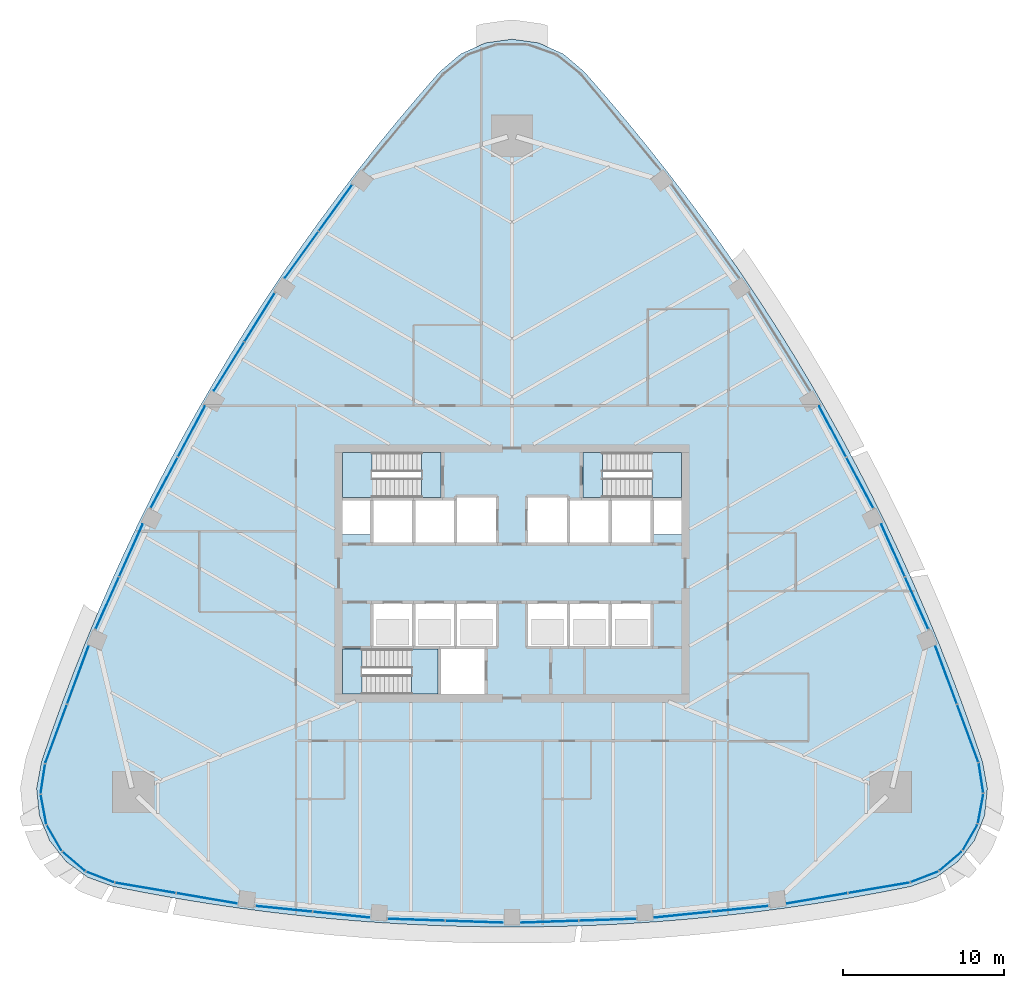
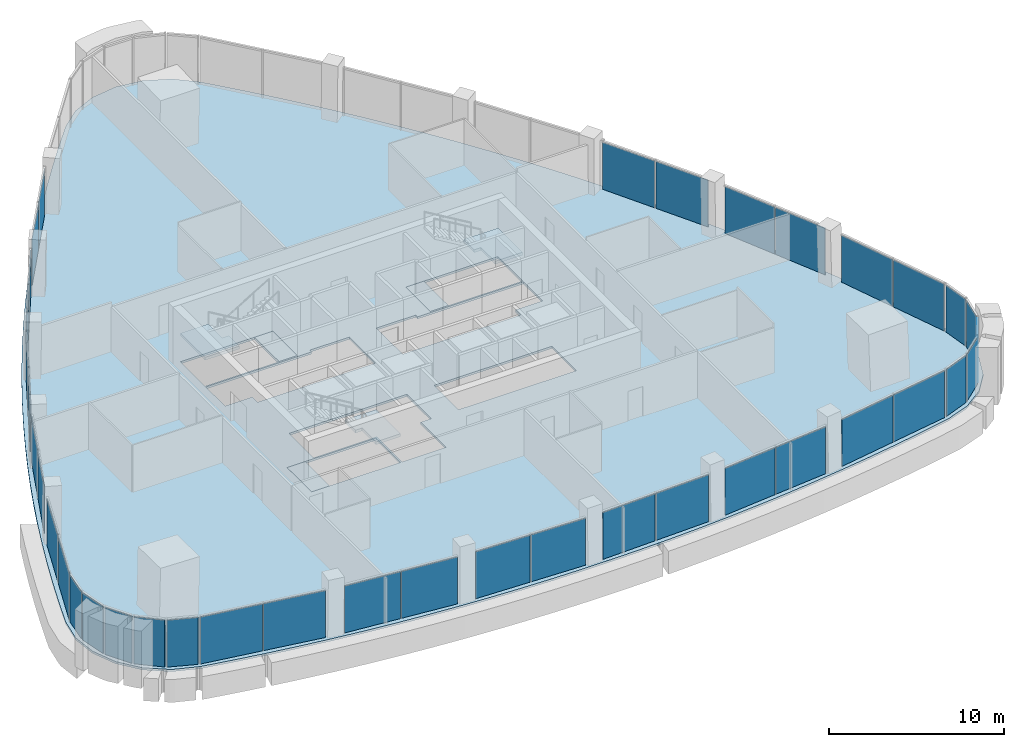
# One storey, part 8 of 16: 38 plates, 7 slabs, 27 elements without a shape of their own.
"""IFC4 building model written with IfcOpenShell, lengths in metres."""

from ifc_helpers import new_model, si_unit, direction, frame, origin, origin_2d, place, context, subcontext, project, spatial, polyline, rectangle, outline, extrude, material, layer, layer_set, type_object, element, aggregate, save


model = new_model("IFC4")

# Units and contexts
model_context = context("Model", 3, precision=1e-05, world=origin(), true_north=direction((0.0, 1.0)))
body_context = subcontext(model_context, "Body", "Model", "MODEL_VIEW")
ifc_project = project(units=[si_unit("LENGTHUNIT", "METRE"), si_unit("AREAUNIT", "SQUARE_METRE"), si_unit("VOLUMEUNIT", "CUBIC_METRE"), si_unit("PLANEANGLEUNIT", "RADIAN"), si_unit("MASSUNIT", "GRAM", prefix="KILO")], contexts=[model_context])

# Site, building, storey
site_placement = place(None, origin())
site = spatial("IfcSite", under=ifc_project, at=site_placement, CompositionType="ELEMENT")
building_placement = place(site_placement, origin())
building = spatial("IfcBuilding", under=site, at=building_placement, Name="Sierra Prisma Convention Tower", CompositionType="ELEMENT")
storey_placement = place(building_placement, frame((0.0, 0.0, 181.800048828125)))
storey = spatial("IfcBuildingStorey", under=building, at=storey_placement, Name="L40", CompositionType="ELEMENT", Elevation=181.800048828125)

# Curtain wall, plates
ifc_material_1 = material(Name="Aluminium and glass curtain wall", Category="aluminium")
ifc_layer_1 = layer(ifc_material_1, 0.179931640625)
ifc_layer_set_1 = layer_set([ifc_layer_1], Name="CW-1 Plain shaft curtain wall")
curtain_wall_type = type_object("IfcCurtainWallType", Name="CW-1 Plain shaft curtain wall", PredefinedType="NOTDEFINED", material=ifc_layer_set_1)
curtain_wall_1_placement = place(storey_placement, origin())
curtain_wall_1 = element("IfcCurtainWall", 1, at=curtain_wall_1_placement, inside=storey, type_object=curtain_wall_type, Name="CW-1 S1 L40", PredefinedType="NOTDEFINED")
ifc_material_2 = material(Name="Tinted glass bronze-grey IGU", Category="glass")
ifc_layer_2 = layer(ifc_material_2, 0.028076171875)
ifc_layer_set_2 = layer_set([ifc_layer_2], Name="CW-1 glass panel")
plate_type = type_object("IfcPlateType", Name="CW-1 glass panel", PredefinedType="CURTAIN_PANEL", material=ifc_layer_set_2)
plate_1_placement = place(storey_placement, frame((-22.74072265625, -19.51513671875, 0.0), z_axis=(0.0, 0.0, 1.0), x_axis=(0.985755167918, -0.168186649063, 0.0)))
plate_1 = element("IfcPlate", 2, at=plate_1_placement, type_object=plate_type, Name="CW-1 panel S1.1", PredefinedType="CURTAIN_PANEL", context=body_context, shape_type="SweptSolid", body=[
    extrude(rectangle(XDim=3.78515625, YDim=0.028076171875, at=origin_2d()), origin(), (0.0, 0.0, 1.0), 3.280029296875),
])
plate_2_placement = place(storey_placement, frame((-18.9404296875, -20.16357421875, 0.0), z_axis=(0.0, 0.0, 1.0), x_axis=(0.985755167918, -0.168186649063, 0.0)))
plate_2 = element("IfcPlate", 3, at=plate_2_placement, type_object=plate_type, Name="CW-1 panel S1.2", PredefinedType="CURTAIN_PANEL", context=body_context, shape_type="SweptSolid", body=[
    extrude(rectangle(XDim=3.78515625, YDim=0.028076171875, at=origin_2d()), origin(), (0.0, 0.0, 1.0), 3.280029296875),
])
aggregate(curtain_wall_1, [plate_1, plate_2])

curtain_wall_2_placement = place(storey_placement, origin())
curtain_wall_2 = element("IfcCurtainWall", 4, at=curtain_wall_2_placement, inside=storey, type_object=curtain_wall_type, Name="CW-1 S2 L40", PredefinedType="NOTDEFINED")
plate_3_placement = place(storey_placement, frame((-14.154296875, -20.81787109375, 0.0), z_axis=(0.0, 0.0, 1.0), x_axis=(0.99486404145, -0.101220250094, 0.0)))
plate_3 = element("IfcPlate", 5, at=plate_3_placement, type_object=plate_type, Name="CW-1 panel S2.1", PredefinedType="CURTAIN_PANEL", context=body_context, shape_type="SweptSolid", body=[
    extrude(rectangle(XDim=3.5126953125, YDim=0.028076171875, at=origin_2d()), origin(), (0.0, 0.0, 1.0), 3.280029296875),
])
plate_4_placement = place(storey_placement, frame((-10.58984375, -21.180419921875, 0.0), z_axis=(0.0, 0.0, 1.0), x_axis=(0.99486404145, -0.101220250094, 0.0)))
plate_4 = element("IfcPlate", 6, at=plate_4_placement, type_object=plate_type, Name="CW-1 panel S2.2", PredefinedType="CURTAIN_PANEL", context=body_context, shape_type="SweptSolid", body=[
    extrude(rectangle(XDim=3.5126953125, YDim=0.028076171875, at=origin_2d()), origin(), (0.0, 0.0, 1.0), 3.280029296875),
])
aggregate(curtain_wall_2, [plate_3, plate_4])

curtain_wall_3_placement = place(storey_placement, origin())
curtain_wall_3 = element("IfcCurtainWall", 7, at=curtain_wall_3_placement, inside=storey, type_object=curtain_wall_type, Name="CW-1 S3 L40", PredefinedType="NOTDEFINED")
plate_5_placement = place(storey_placement, frame((-5.929931640625, -21.4951171875, 0.0), z_axis=(0.0, 0.0, 1.0), x_axis=(0.999428903153, -0.033791530634, 0.0)))
plate_5 = element("IfcPlate", 8, at=plate_5_placement, type_object=plate_type, Name="CW-1 panel S3.1", PredefinedType="CURTAIN_PANEL", context=body_context, shape_type="SweptSolid", body=[
    extrude(rectangle(XDim=3.52880859375, YDim=0.028076171875, at=origin_2d()), origin(), (0.0, 0.0, 1.0), 3.280029296875),
])
plate_6_placement = place(storey_placement, frame((-2.3330078125, -21.616943359375, 0.0), z_axis=(0.0, 0.0, 1.0), x_axis=(0.999428903153, -0.033791530634, 0.0)))
plate_6 = element("IfcPlate", 9, at=plate_6_placement, type_object=plate_type, Name="CW-1 panel S3.2", PredefinedType="CURTAIN_PANEL", context=body_context, shape_type="SweptSolid", body=[
    extrude(rectangle(XDim=3.52880859375, YDim=0.028076171875, at=origin_2d()), origin(), (0.0, 0.0, 1.0), 3.280029296875),
])
aggregate(curtain_wall_3, [plate_5, plate_6])

curtain_wall_4_placement = place(storey_placement, origin())
curtain_wall_4 = element("IfcCurtainWall", 10, at=curtain_wall_4_placement, inside=storey, type_object=curtain_wall_type, Name="CW-1 S4 L40", PredefinedType="NOTDEFINED")
plate_7_placement = place(storey_placement, frame((2.3330078125, -21.616943359375, 0.0), z_axis=(0.0, 0.0, 1.0), x_axis=(0.999428903153, 0.033791530634, 0.0)))
plate_7 = element("IfcPlate", 11, at=plate_7_placement, type_object=plate_type, Name="CW-1 panel S4.1", PredefinedType="CURTAIN_PANEL", context=body_context, shape_type="SweptSolid", body=[
    extrude(rectangle(XDim=3.52880859375, YDim=0.028076171875, at=origin_2d()), origin(), (0.0, 0.0, 1.0), 3.280029296875),
])
plate_8_placement = place(storey_placement, frame((5.929931640625, -21.4951171875, 0.0), z_axis=(0.0, 0.0, 1.0), x_axis=(0.999428903153, 0.033791530634, 0.0)))
plate_8 = element("IfcPlate", 12, at=plate_8_placement, type_object=plate_type, Name="CW-1 panel S4.2", PredefinedType="CURTAIN_PANEL", context=body_context, shape_type="SweptSolid", body=[
    extrude(rectangle(XDim=3.52880859375, YDim=0.028076171875, at=origin_2d()), origin(), (0.0, 0.0, 1.0), 3.280029296875),
])
aggregate(curtain_wall_4, [plate_7, plate_8])

curtain_wall_5_placement = place(storey_placement, origin())
curtain_wall_5 = element("IfcCurtainWall", 13, at=curtain_wall_5_placement, inside=storey, type_object=curtain_wall_type, Name="CW-1 S5 L40", PredefinedType="NOTDEFINED")
plate_9_placement = place(storey_placement, frame((10.58984375, -21.180419921875, 0.0), z_axis=(0.0, 0.0, 1.0), x_axis=(0.99486404145, 0.101220250094, 0.0)))
plate_9 = element("IfcPlate", 14, at=plate_9_placement, type_object=plate_type, Name="CW-1 panel S5.1", PredefinedType="CURTAIN_PANEL", context=body_context, shape_type="SweptSolid", body=[
    extrude(rectangle(XDim=3.5126953125, YDim=0.028076171875, at=origin_2d()), origin(), (0.0, 0.0, 1.0), 3.280029296875),
])
plate_10_placement = place(storey_placement, frame((14.154296875, -20.81787109375, 0.0), z_axis=(0.0, 0.0, 1.0), x_axis=(0.99486404145, 0.101220250094, 0.0)))
plate_10 = element("IfcPlate", 15, at=plate_10_placement, type_object=plate_type, Name="CW-1 panel S5.2", PredefinedType="CURTAIN_PANEL", context=body_context, shape_type="SweptSolid", body=[
    extrude(rectangle(XDim=3.5126953125, YDim=0.028076171875, at=origin_2d()), origin(), (0.0, 0.0, 1.0), 3.280029296875),
])
aggregate(curtain_wall_5, [plate_9, plate_10])

curtain_wall_6_placement = place(storey_placement, origin())
curtain_wall_6 = element("IfcCurtainWall", 16, at=curtain_wall_6_placement, inside=storey, type_object=curtain_wall_type, Name="CW-1 S6 L40", PredefinedType="NOTDEFINED")
plate_11_placement = place(storey_placement, frame((18.9404296875, -20.16357421875, 0.0), z_axis=(0.0, 0.0, 1.0), x_axis=(0.985755167918, 0.168186649063, 0.0)))
plate_11 = element("IfcPlate", 17, at=plate_11_placement, type_object=plate_type, Name="CW-1 panel S6.1", PredefinedType="CURTAIN_PANEL", context=body_context, shape_type="SweptSolid", body=[
    extrude(rectangle(XDim=3.78515625, YDim=0.028076171875, at=origin_2d()), origin(), (0.0, 0.0, 1.0), 3.280029296875),
])
plate_12_placement = place(storey_placement, frame((22.74072265625, -19.51513671875, 0.0), z_axis=(0.0, 0.0, 1.0), x_axis=(0.985755167918, 0.168186649063, 0.0)))
plate_12 = element("IfcPlate", 18, at=plate_12_placement, type_object=plate_type, Name="CW-1 panel S6.2", PredefinedType="CURTAIN_PANEL", context=body_context, shape_type="SweptSolid", body=[
    extrude(rectangle(XDim=3.78515625, YDim=0.028076171875, at=origin_2d()), origin(), (0.0, 0.0, 1.0), 3.280029296875),
])
aggregate(curtain_wall_6, [plate_11, plate_12])

# Curtain wall, plate
curtain_wall_7_placement = place(storey_placement, origin())
curtain_wall_7 = element("IfcCurtainWall", 19, at=curtain_wall_7_placement, inside=storey, type_object=curtain_wall_type, Name="CW-1 SE1 L40", PredefinedType="NOTDEFINED")
plate_13_placement = place(storey_placement, frame((25.5712890625, -18.8359375, 0.0), z_axis=(0.0, 0.0, 1.0), x_axis=(0.93172224191, 0.363171672809, 0.0)))
plate_13 = element("IfcPlate", 20, at=plate_13_placement, type_object=plate_type, Name="CW-1 panel SE1.1", PredefinedType="CURTAIN_PANEL", context=body_context, shape_type="SweptSolid", body=[
    extrude(rectangle(XDim=1.783203125, YDim=0.028076171875, at=origin_2d()), origin(), (0.0, 0.0, 1.0), 3.280029296875),
])
aggregate(curtain_wall_7, [plate_13])

curtain_wall_8_placement = place(storey_placement, origin())
curtain_wall_8 = element("IfcCurtainWall", 21, at=curtain_wall_8_placement, inside=storey, type_object=curtain_wall_type, Name="CW-1 SE2 L40", PredefinedType="NOTDEFINED")
plate_14_placement = place(storey_placement, frame((27.197021484375, -17.8603515625, 0.0), z_axis=(0.0, 0.0, 1.0), x_axis=(0.758730922775, 0.651404165496, 0.0)))
plate_14 = element("IfcPlate", 22, at=plate_14_placement, type_object=plate_type, Name="CW-1 panel SE2.1", PredefinedType="CURTAIN_PANEL", context=body_context, shape_type="SweptSolid", body=[
    extrude(rectangle(XDim=1.783203125, YDim=0.028076171875, at=origin_2d()), origin(), (0.0, 0.0, 1.0), 3.280029296875),
])
aggregate(curtain_wall_8, [plate_14])

curtain_wall_9_placement = place(storey_placement, origin())
curtain_wall_9 = element("IfcCurtainWall", 23, at=curtain_wall_9_placement, inside=storey, type_object=curtain_wall_type, Name="CW-1 SE3 L40", PredefinedType="NOTDEFINED")
plate_15_placement = place(storey_placement, frame((28.407470703125, -16.401123046875, 0.0), z_axis=(0.0, 0.0, 1.0), x_axis=(0.5, 0.866025403784, 0.0)))
plate_15 = element("IfcPlate", 24, at=plate_15_placement, type_object=plate_type, Name="CW-1 panel SE3.1", PredefinedType="CURTAIN_PANEL", context=body_context, shape_type="SweptSolid", body=[
    extrude(rectangle(XDim=1.783203125, YDim=0.028076171875, at=origin_2d()), origin(), (0.0, 0.0, 1.0), 3.280029296875),
])
aggregate(curtain_wall_9, [plate_15])

curtain_wall_10_placement = place(storey_placement, origin())
curtain_wall_10 = element("IfcCurtainWall", 25, at=curtain_wall_10_placement, inside=storey, type_object=curtain_wall_type, Name="CW-1 SE4 L40", PredefinedType="NOTDEFINED")
plate_16_placement = place(storey_placement, frame((29.06591796875, -14.623046875, 0.0), z_axis=(0.0, 0.0, 1.0), x_axis=(0.184767094063, 0.982782336508, 0.0)))
plate_16 = element("IfcPlate", 26, at=plate_16_placement, type_object=plate_type, Name="CW-1 panel SE4.1", PredefinedType="CURTAIN_PANEL", context=body_context, shape_type="SweptSolid", body=[
    extrude(rectangle(XDim=1.783203125, YDim=0.028076171875, at=origin_2d()), origin(), (0.0, 0.0, 1.0), 3.280029296875),
])
aggregate(curtain_wall_10, [plate_16])

curtain_wall_11_placement = place(storey_placement, origin())
curtain_wall_11 = element("IfcCurtainWall", 27, at=curtain_wall_11_placement, inside=storey, type_object=curtain_wall_type, Name="CW-1 SE5 L40", PredefinedType="NOTDEFINED")
plate_17_placement = place(storey_placement, frame((29.09814453125, -12.727294921875, 0.0), z_axis=(0.0, 0.0, 1.0), x_axis=(-0.151345226367, 0.988480967169, 0.0)))
plate_17 = element("IfcPlate", 28, at=plate_17_placement, type_object=plate_type, Name="CW-1 panel SE5.1", PredefinedType="CURTAIN_PANEL", context=body_context, shape_type="SweptSolid", body=[
    extrude(rectangle(XDim=1.783203125, YDim=0.028076171875, at=origin_2d()), origin(), (0.0, 0.0, 1.0), 3.280029296875),
])
aggregate(curtain_wall_11, [plate_17])

# Curtain wall, plates
curtain_wall_12_placement = place(storey_placement, origin())
curtain_wall_12 = element("IfcCurtainWall", 29, at=curtain_wall_12_placement, inside=storey, type_object=curtain_wall_type, Name="CW-1 NE1 L40", PredefinedType="NOTDEFINED")
plate_18_placement = place(storey_placement, frame((28.27099609375, -9.936279296875, 0.0), z_axis=(0.0, 0.0, 1.0), x_axis=(-0.347223673293, 0.93778234186, 0.0)))
plate_18 = element("IfcPlate", 30, at=plate_18_placement, type_object=plate_type, Name="CW-1 panel NE1.1", PredefinedType="CURTAIN_PANEL", context=body_context, shape_type="SweptSolid", body=[
    extrude(rectangle(XDim=3.78515625, YDim=0.028076171875, at=origin_2d()), origin(), (0.0, 0.0, 1.0), 3.280029296875),
])
plate_19_placement = place(storey_placement, frame((26.932373046875, -6.321044921875, 0.0), z_axis=(0.0, 0.0, 1.0), x_axis=(-0.347223673293, 0.93778234186, 0.0)))
plate_19 = element("IfcPlate", 31, at=plate_19_placement, type_object=plate_type, Name="CW-1 panel NE1.2", PredefinedType="CURTAIN_PANEL", context=body_context, shape_type="SweptSolid", body=[
    extrude(rectangle(XDim=3.78515625, YDim=0.028076171875, at=origin_2d()), origin(), (0.0, 0.0, 1.0), 3.280029296875),
])
aggregate(curtain_wall_12, [plate_18, plate_19])

curtain_wall_13_placement = place(storey_placement, origin())
curtain_wall_13 = element("IfcCurtainWall", 32, at=curtain_wall_13_placement, inside=storey, type_object=curtain_wall_type, Name="CW-1 NE2 L40", PredefinedType="NOTDEFINED")
plate_20_placement = place(storey_placement, frame((25.10595703125, -1.84912109375, 0.0), z_axis=(0.0, 0.0, 1.0), x_axis=(-0.409772712767, 0.912187658255, 0.0)))
plate_20 = element("IfcPlate", 33, at=plate_20_placement, type_object=plate_type, Name="CW-1 panel NE2.1", PredefinedType="CURTAIN_PANEL", context=body_context, shape_type="SweptSolid", body=[
    extrude(rectangle(XDim=3.512939453125, YDim=0.028076171875, at=origin_2d()), origin(), (0.0, 0.0, 1.0), 3.280029296875),
])
plate_21_placement = place(storey_placement, frame((23.6376953125, 1.4189453125, 0.0), z_axis=(0.0, 0.0, 1.0), x_axis=(-0.409772712767, 0.912187658255, 0.0)))
plate_21 = element("IfcPlate", 34, at=plate_21_placement, type_object=plate_type, Name="CW-1 panel NE2.2", PredefinedType="CURTAIN_PANEL", context=body_context, shape_type="SweptSolid", body=[
    extrude(rectangle(XDim=3.512939453125, YDim=0.028076171875, at=origin_2d()), origin(), (0.0, 0.0, 1.0), 3.280029296875),
])
aggregate(curtain_wall_13, [plate_20, plate_21])

curtain_wall_14_placement = place(storey_placement, origin())
curtain_wall_14 = element("IfcCurtainWall", 35, at=curtain_wall_14_placement, inside=storey, type_object=curtain_wall_type, Name="CW-1 NE3 L40", PredefinedType="NOTDEFINED")
plate_22_placement = place(storey_placement, frame((21.580322265625, 5.612060546875, 0.0), z_axis=(0.0, 0.0, 1.0), x_axis=(-0.470450127615, 0.882426584724, 0.0)))
plate_22 = element("IfcPlate", 36, at=plate_22_placement, type_object=plate_type, Name="CW-1 panel NE3.1", PredefinedType="CURTAIN_PANEL", context=body_context, shape_type="SweptSolid", body=[
    extrude(rectangle(XDim=3.52880859375, YDim=0.028076171875, at=origin_2d()), origin(), (0.0, 0.0, 1.0), 3.280029296875),
])
plate_23_placement = place(storey_placement, frame((19.88720703125, 8.787841796875, 0.0), z_axis=(0.0, 0.0, 1.0), x_axis=(-0.470450127615, 0.882426584724, 0.0)))
plate_23 = element("IfcPlate", 37, at=plate_23_placement, type_object=plate_type, Name="CW-1 panel NE3.2", PredefinedType="CURTAIN_PANEL", context=body_context, shape_type="SweptSolid", body=[
    extrude(rectangle(XDim=3.52880859375, YDim=0.028076171875, at=origin_2d()), origin(), (0.0, 0.0, 1.0), 3.280029296875),
])
aggregate(curtain_wall_14, [plate_22, plate_23])

curtain_wall_15_placement = place(storey_placement, origin())
curtain_wall_15 = element("IfcCurtainWall", 38, at=curtain_wall_15_placement, inside=storey, type_object=curtain_wall_type, Name="CW-1 NW2 L40", PredefinedType="NOTDEFINED")
plate_24_placement = place(storey_placement, frame((-10.95166015625, 22.666748046875, 0.0), z_axis=(0.0, 0.0, 1.0), x_axis=(-0.585091328684, -0.810967408161, 0.0)))
plate_24 = element("IfcPlate", 39, at=plate_24_placement, type_object=plate_type, Name="CW-1 panel NW2.1", PredefinedType="CURTAIN_PANEL", context=body_context, shape_type="SweptSolid", body=[
    extrude(rectangle(XDim=3.5126953125, YDim=0.028076171875, at=origin_2d()), origin(), (0.0, 0.0, 1.0), 3.280029296875),
])
plate_25_placement = place(storey_placement, frame((-13.0478515625, 19.76123046875, 0.0), z_axis=(0.0, 0.0, 1.0), x_axis=(-0.585091328684, -0.810967408161, 0.0)))
plate_25 = element("IfcPlate", 40, at=plate_25_placement, type_object=plate_type, Name="CW-1 panel NW2.2", PredefinedType="CURTAIN_PANEL", context=body_context, shape_type="SweptSolid", body=[
    extrude(rectangle(XDim=3.5126953125, YDim=0.028076171875, at=origin_2d()), origin(), (0.0, 0.0, 1.0), 3.280029296875),
])
aggregate(curtain_wall_15, [plate_24, plate_25])

curtain_wall_16_placement = place(storey_placement, origin())
curtain_wall_16 = element("IfcCurtainWall", 41, at=curtain_wall_16_placement, inside=storey, type_object=curtain_wall_type, Name="CW-1 NW3 L40", PredefinedType="NOTDEFINED")
plate_26_placement = place(storey_placement, frame((-15.650390625, 15.883056640625, 0.0), z_axis=(0.0, 0.0, 1.0), x_axis=(-0.528978775538, -0.84863505409, 0.0)))
plate_26 = element("IfcPlate", 42, at=plate_26_placement, type_object=plate_type, Name="CW-1 panel NW3.1", PredefinedType="CURTAIN_PANEL", context=body_context, shape_type="SweptSolid", body=[
    extrude(rectangle(XDim=3.52880859375, YDim=0.028076171875, at=origin_2d()), origin(), (0.0, 0.0, 1.0), 3.280029296875),
])
plate_27_placement = place(storey_placement, frame((-17.55419921875, 12.828857421875, 0.0), z_axis=(0.0, 0.0, 1.0), x_axis=(-0.528978775538, -0.84863505409, 0.0)))
plate_27 = element("IfcPlate", 43, at=plate_27_placement, type_object=plate_type, Name="CW-1 panel NW3.2", PredefinedType="CURTAIN_PANEL", context=body_context, shape_type="SweptSolid", body=[
    extrude(rectangle(XDim=3.52880859375, YDim=0.028076171875, at=origin_2d()), origin(), (0.0, 0.0, 1.0), 3.280029296875),
])
aggregate(curtain_wall_16, [plate_26, plate_27])

curtain_wall_17_placement = place(storey_placement, origin())
curtain_wall_17 = element("IfcCurtainWall", 44, at=curtain_wall_17_placement, inside=storey, type_object=curtain_wall_type, Name="CW-1 NW4 L40", PredefinedType="NOTDEFINED")
plate_28_placement = place(storey_placement, frame((-19.88720703125, 8.787841796875, 0.0), z_axis=(0.0, 0.0, 1.0), x_axis=(-0.470450127615, -0.882426584724, 0.0)))
plate_28 = element("IfcPlate", 45, at=plate_28_placement, type_object=plate_type, Name="CW-1 panel NW4.1", PredefinedType="CURTAIN_PANEL", context=body_context, shape_type="SweptSolid", body=[
    extrude(rectangle(XDim=3.52880859375, YDim=0.028076171875, at=origin_2d()), origin(), (0.0, 0.0, 1.0), 3.280029296875),
])
plate_29_placement = place(storey_placement, frame((-21.580322265625, 5.6123046875, 0.0), z_axis=(0.0, 0.0, 1.0), x_axis=(-0.470450127615, -0.882426584724, 0.0)))
plate_29 = element("IfcPlate", 46, at=plate_29_placement, type_object=plate_type, Name="CW-1 panel NW4.2", PredefinedType="CURTAIN_PANEL", context=body_context, shape_type="SweptSolid", body=[
    extrude(rectangle(XDim=3.52880859375, YDim=0.028076171875, at=origin_2d()), origin(), (0.0, 0.0, 1.0), 3.280029296875),
])
aggregate(curtain_wall_17, [plate_28, plate_29])

curtain_wall_18_placement = place(storey_placement, origin())
curtain_wall_18 = element("IfcCurtainWall", 47, at=curtain_wall_18_placement, inside=storey, type_object=curtain_wall_type, Name="CW-1 NW5 L40", PredefinedType="NOTDEFINED")
plate_30_placement = place(storey_placement, frame((-23.6376953125, 1.419189453125, 0.0), z_axis=(0.0, 0.0, 1.0), x_axis=(-0.409772712767, -0.912187658255, 0.0)))
plate_30 = element("IfcPlate", 48, at=plate_30_placement, type_object=plate_type, Name="CW-1 panel NW5.1", PredefinedType="CURTAIN_PANEL", context=body_context, shape_type="SweptSolid", body=[
    extrude(rectangle(XDim=3.5126953125, YDim=0.028076171875, at=origin_2d()), origin(), (0.0, 0.0, 1.0), 3.280029296875),
])
plate_31_placement = place(storey_placement, frame((-25.10595703125, -1.84912109375, 0.0), z_axis=(0.0, 0.0, 1.0), x_axis=(-0.409772712767, -0.912187658255, 0.0)))
plate_31 = element("IfcPlate", 49, at=plate_31_placement, type_object=plate_type, Name="CW-1 panel NW5.2", PredefinedType="CURTAIN_PANEL", context=body_context, shape_type="SweptSolid", body=[
    extrude(rectangle(XDim=3.5126953125, YDim=0.028076171875, at=origin_2d()), origin(), (0.0, 0.0, 1.0), 3.280029296875),
])
aggregate(curtain_wall_18, [plate_30, plate_31])

curtain_wall_19_placement = place(storey_placement, origin())
curtain_wall_19 = element("IfcCurtainWall", 50, at=curtain_wall_19_placement, inside=storey, type_object=curtain_wall_type, Name="CW-1 NW6 L40", PredefinedType="NOTDEFINED")
plate_32_placement = place(storey_placement, frame((-26.932373046875, -6.321044921875, 0.0), z_axis=(0.0, 0.0, 1.0), x_axis=(-0.347223673293, -0.93778234186, 0.0)))
plate_32 = element("IfcPlate", 51, at=plate_32_placement, type_object=plate_type, Name="CW-1 panel NW6.1", PredefinedType="CURTAIN_PANEL", context=body_context, shape_type="SweptSolid", body=[
    extrude(rectangle(XDim=3.78515625, YDim=0.028076171875, at=origin_2d()), origin(), (0.0, 0.0, 1.0), 3.280029296875),
])
plate_33_placement = place(storey_placement, frame((-28.27099609375, -9.936279296875, 0.0), z_axis=(0.0, 0.0, 1.0), x_axis=(-0.347223673293, -0.93778234186, 0.0)))
plate_33 = element("IfcPlate", 52, at=plate_33_placement, type_object=plate_type, Name="CW-1 panel NW6.2", PredefinedType="CURTAIN_PANEL", context=body_context, shape_type="SweptSolid", body=[
    extrude(rectangle(XDim=3.78515625, YDim=0.028076171875, at=origin_2d()), origin(), (0.0, 0.0, 1.0), 3.280029296875),
])
aggregate(curtain_wall_19, [plate_32, plate_33])

# Curtain wall, plate
curtain_wall_20_placement = place(storey_placement, origin())
curtain_wall_20 = element("IfcCurtainWall", 53, at=curtain_wall_20_placement, inside=storey, type_object=curtain_wall_type, Name="CW-1 SW1 L40", PredefinedType="NOTDEFINED")
plate_34_placement = place(storey_placement, frame((-29.09814453125, -12.727294921875, 0.0), z_axis=(0.0, 0.0, 1.0), x_axis=(-0.151345226367, -0.988480967169, 0.0)))
plate_34 = element("IfcPlate", 54, at=plate_34_placement, type_object=plate_type, Name="CW-1 panel SW1.1", PredefinedType="CURTAIN_PANEL", context=body_context, shape_type="SweptSolid", body=[
    extrude(rectangle(XDim=1.783203125, YDim=0.028076171875, at=origin_2d()), origin(), (0.0, 0.0, 1.0), 3.280029296875),
])
aggregate(curtain_wall_20, [plate_34])

curtain_wall_21_placement = place(storey_placement, origin())
curtain_wall_21 = element("IfcCurtainWall", 55, at=curtain_wall_21_placement, inside=storey, type_object=curtain_wall_type, Name="CW-1 SW2 L40", PredefinedType="NOTDEFINED")
plate_35_placement = place(storey_placement, frame((-29.06591796875, -14.623046875, 0.0), z_axis=(0.0, 0.0, 1.0), x_axis=(0.184767094063, -0.982782336508, 0.0)))
plate_35 = element("IfcPlate", 56, at=plate_35_placement, type_object=plate_type, Name="CW-1 panel SW2.1", PredefinedType="CURTAIN_PANEL", context=body_context, shape_type="SweptSolid", body=[
    extrude(rectangle(XDim=1.783203125, YDim=0.028076171875, at=origin_2d()), origin(), (0.0, 0.0, 1.0), 3.280029296875),
])
aggregate(curtain_wall_21, [plate_35])

curtain_wall_22_placement = place(storey_placement, origin())
curtain_wall_22 = element("IfcCurtainWall", 57, at=curtain_wall_22_placement, inside=storey, type_object=curtain_wall_type, Name="CW-1 SW3 L40", PredefinedType="NOTDEFINED")
plate_36_placement = place(storey_placement, frame((-28.407470703125, -16.401123046875, 0.0), z_axis=(0.0, 0.0, 1.0), x_axis=(0.5, -0.866025403784, 0.0)))
plate_36 = element("IfcPlate", 58, at=plate_36_placement, type_object=plate_type, Name="CW-1 panel SW3.1", PredefinedType="CURTAIN_PANEL", context=body_context, shape_type="SweptSolid", body=[
    extrude(rectangle(XDim=1.783203125, YDim=0.028076171875, at=origin_2d()), origin(), (0.0, 0.0, 1.0), 3.280029296875),
])
aggregate(curtain_wall_22, [plate_36])

curtain_wall_23_placement = place(storey_placement, origin())
curtain_wall_23 = element("IfcCurtainWall", 59, at=curtain_wall_23_placement, inside=storey, type_object=curtain_wall_type, Name="CW-1 SW4 L40", PredefinedType="NOTDEFINED")
plate_37_placement = place(storey_placement, frame((-27.197021484375, -17.8603515625, 0.0), z_axis=(0.0, 0.0, 1.0), x_axis=(0.758730922775, -0.651404165496, 0.0)))
plate_37 = element("IfcPlate", 60, at=plate_37_placement, type_object=plate_type, Name="CW-1 panel SW4.1", PredefinedType="CURTAIN_PANEL", context=body_context, shape_type="SweptSolid", body=[
    extrude(rectangle(XDim=1.783203125, YDim=0.028076171875, at=origin_2d()), origin(), (0.0, 0.0, 1.0), 3.280029296875),
])
aggregate(curtain_wall_23, [plate_37])

curtain_wall_24_placement = place(storey_placement, origin())
curtain_wall_24 = element("IfcCurtainWall", 61, at=curtain_wall_24_placement, inside=storey, type_object=curtain_wall_type, Name="CW-1 SW5 L40", PredefinedType="NOTDEFINED")
plate_38_placement = place(storey_placement, frame((-25.5712890625, -18.8359375, 0.0), z_axis=(0.0, 0.0, 1.0), x_axis=(0.93172224191, -0.363171672809, 0.0)))
plate_38 = element("IfcPlate", 62, at=plate_38_placement, type_object=plate_type, Name="CW-1 panel SW5.1", PredefinedType="CURTAIN_PANEL", context=body_context, shape_type="SweptSolid", body=[
    extrude(rectangle(XDim=1.783203125, YDim=0.028076171875, at=origin_2d()), origin(), (0.0, 0.0, 1.0), 3.280029296875),
])
aggregate(curtain_wall_24, [plate_38])

# Slab
ifc_material_3 = material(Name="Concrete C35/45", Category="concrete")
ifc_layer_3 = layer(ifc_material_3, 0.14990234375)
ifc_layer_set_3 = layer_set([ifc_layer_3], Name="Composite floor slab 150")
slab_type_1 = type_object("IfcSlabType", Name="Composite floor slab 150", PredefinedType="FLOOR", material=ifc_layer_set_3)
slab_1_placement = place(storey_placement, frame((0.0, 0.0, -0.150146484375)))
element("IfcSlab", 63, at=slab_1_placement, inside=storey, type_object=slab_type_1, Name="Floor slab L40 floor", PredefinedType="FLOOR", context=body_context, shape_type="SweptSolid", body=[
    extrude(outline(polyline([(-24.7255859375, -19.43017578125), (-22.771484375, -19.8154296875), (-20.8115234375, -20.1689453125), (-18.84619140625, -20.490478515625), (-16.875732421875, -20.7802734375), (-14.900634765625, -21.0380859375), (-12.921875, -21.263671875), (-10.939697265625, -21.457275390625), (-8.95458984375, -21.61865234375), (-6.967041015625, -21.747802734375), (-4.977783203125, -21.8447265625), (-2.9873046875, -21.909423828125), (-0.995849609375, -21.941650390625), (0.995849609375, -21.941650390625), (2.9873046875, -21.909423828125), (4.977783203125, -21.8447265625), (6.967041015625, -21.747802734375), (8.95458984375, -21.61865234375), (10.939697265625, -21.457275390625), (12.921875, -21.263671875), (14.900634765625, -21.0380859375), (16.875732421875, -20.7802734375), (18.84619140625, -20.490478515625), (20.8115234375, -20.1689453125), (22.771484375, -19.8154296875), (24.7255859375, -19.43017578125), (26.302978515625, -18.86572265625), (27.66162109375, -17.8857421875), (28.6943359375, -16.566650390625), (29.3203125, -15.0126953125), (29.48974609375, -13.34619140625), (29.189697265625, -11.697998046875), (28.54638671875, -9.81298828125), (27.87255859375, -7.93896484375), (27.16845703125, -6.075927734375), (26.43408203125, -4.224609375), (25.669921875, -2.38525390625), (24.8759765625, -0.558837890625), (24.052490234375, 1.254638671875), (23.19970703125, 3.054443359375), (22.31787109375, 4.84033203125), (21.406982421875, 6.611572265625), (20.4677734375, 8.36767578125), (19.5, 10.1083984375), (18.504150390625, 11.833251953125), (17.48046875, 13.541748046875), (16.42919921875, 15.2333984375), (15.3505859375, 16.90771484375), (14.2451171875, 18.564208984375), (13.11279296875, 20.20263671875), (11.9541015625, 21.822509765625), (10.76904296875, 23.42333984375), (9.55859375, 25.0048828125), (8.322265625, 26.56640625), (7.06103515625, 28.107666015625), (5.77490234375, 29.62841796875), (4.464111328125, 31.1279296875), (3.186767578125, 32.2119140625), (1.65869140625, 32.8984375), (0.0, 33.13330078125), (-1.65869140625, 32.8984375), (-3.186767578125, 32.2119140625), (-4.464111328125, 31.1279296875), (-5.77490234375, 29.62841796875), (-7.06103515625, 28.107666015625), (-8.322265625, 26.56640625), (-9.55859375, 25.0048828125), (-10.76904296875, 23.42333984375), (-11.9541015625, 21.822509765625), (-13.11279296875, 20.20263671875), (-14.2451171875, 18.564208984375), (-15.3505859375, 16.90771484375), (-16.42919921875, 15.2333984375), (-17.48046875, 13.541748046875), (-18.504150390625, 11.833251953125), (-19.5, 10.1083984375), (-20.4677734375, 8.36767578125), (-21.406982421875, 6.611572265625), (-22.31787109375, 4.84033203125), (-23.19970703125, 3.054443359375), (-24.052490234375, 1.254638671875), (-24.8759765625, -0.558837890625), (-25.669921875, -2.38525390625), (-26.43408203125, -4.224609375), (-27.16845703125, -6.075927734375), (-27.87255859375, -7.93896484375), (-28.54638671875, -9.81298828125), (-29.189697265625, -11.697998046875), (-29.48974609375, -13.34619140625), (-29.3203125, -15.0126953125), (-28.6943359375, -16.566650390625), (-27.66162109375, -17.8857421875), (-26.302978515625, -18.86572265625), (-24.7255859375, -19.43017578125)]), holes=[polyline([(-4.60009765625, -7.5), (-10.5, -7.5), (-10.5, -4.699951171875), (-4.60009765625, -4.699951171875), (-4.60009765625, -7.5)]), polyline([(-8.699951171875, -4.60009765625), (-8.699951171875, -1.800048828125), (-6.10009765625, -1.800048828125), (-3.5, -1.800048828125), (-0.89990234375, -1.800048828125), (-0.89990234375, -4.60009765625), (-1.60009765625, -4.60009765625), (-1.60009765625, -7.5), (-4.5, -7.5), (-4.5, -4.60009765625), (-6.10009765625, -4.60009765625), (-8.699951171875, -4.60009765625)]), polyline([(-10.5, 4.60009765625), (-8.699951171875, 4.60009765625), (-6.10009765625, 4.60009765625), (-3.5, 4.60009765625), (-3.5, 4.800048828125), (-0.89990234375, 4.800048828125), (-0.89990234375, 1.800048828125), (-3.5, 1.800048828125), (-6.10009765625, 1.800048828125), (-8.699951171875, 1.800048828125), (-8.699951171875, 2.39990234375), (-10.5, 2.39990234375), (-10.5, 4.60009765625)]), polyline([(-10.5, 4.699951171875), (-10.5, 7.5), (-4.39990234375, 7.5), (-4.39990234375, 4.699951171875), (-10.5, 4.699951171875)]), polyline([(6.10009765625, -1.800048828125), (8.699951171875, -1.800048828125), (8.699951171875, -4.60009765625), (6.10009765625, -4.60009765625), (3.5, -4.60009765625), (0.89990234375, -4.60009765625), (0.89990234375, -1.800048828125), (3.5, -1.800048828125), (6.10009765625, -1.800048828125)]), polyline([(8.699951171875, 4.60009765625), (10.5, 4.60009765625), (10.5, 2.39990234375), (8.699951171875, 2.39990234375), (8.699951171875, 1.800048828125), (6.10009765625, 1.800048828125), (3.5, 1.800048828125), (0.89990234375, 1.800048828125), (0.89990234375, 4.800048828125), (3.5, 4.800048828125), (3.5, 4.60009765625), (6.10009765625, 4.60009765625), (8.699951171875, 4.60009765625)]), polyline([(4.39990234375, 4.699951171875), (4.39990234375, 7.5), (10.5, 7.5), (10.5, 4.699951171875), (4.39990234375, 4.699951171875)])]), origin(), (0.0, 0.0, 1.0), 0.150146484375),
])

# Stair, slab
ifc_material_4 = material(Name="Concrete C30/37", Category="concrete")
stair_type = type_object("IfcStairType", Name="Stair dog-leg 1200 RC", PredefinedType="HALF_TURN_STAIR", material=ifc_material_4)
stair_1_placement = place(storey_placement, origin())
stair_1 = element("IfcStair", 64, at=stair_1_placement, inside=storey, type_object=stair_type, Name="L40 S1", PredefinedType="HALF_TURN_STAIR")
ifc_material_5 = material(Name="Concrete C35/45", Category="concrete")
ifc_layer_4 = layer(ifc_material_5, 0.199951171875)
ifc_layer_set_4 = layer_set([ifc_layer_4], Name="Stair landing slab")
slab_type_2 = type_object("IfcSlabType", Name="Stair landing slab", PredefinedType="LANDING", material=ifc_layer_set_4)
slab_2_placement = place(storey_placement, frame((0.0, 0.0, 1.800048828125)))
slab_2 = element("IfcSlab", 65, at=slab_2_placement, type_object=slab_type_2, Name="S1 landing 1", PredefinedType="LANDING", context=body_context, shape_type="SweptSolid", body=[
    extrude(outline(polyline([(-4.60009765625, -4.699951171875), (-4.60009765625, -7.5), (-6.221923828125, -7.5), (-6.221923828125, -5.89990234375), (-6.669921875, -5.89990234375), (-6.669921875, -4.699951171875), (-4.60009765625, -4.699951171875)])), origin(), (0.0, 0.0, 1.0), 0.199951171875),
])
aggregate(stair_1, [slab_2])

# Slab
slab_3_placement = place(storey_placement, frame((0.0, 0.0, -0.199951171875)))
element("IfcSlab", 66, at=slab_3_placement, inside=storey, type_object=slab_type_2, Name="S1 floor landing L40", PredefinedType="LANDING", context=body_context, shape_type="SweptSolid", body=[
    extrude(outline(polyline([(-10.5, -7.5), (-9.298095703125, -7.5), (-9.298095703125, -4.699951171875), (-10.5, -4.699951171875), (-10.5, -7.5)])), origin(), (0.0, 0.0, 1.0), 0.199951171875),
])

# Stair, slab
stair_2_placement = place(storey_placement, origin())
stair_2 = element("IfcStair", 67, at=stair_2_placement, inside=storey, type_object=stair_type, Name="L40 S3", PredefinedType="HALF_TURN_STAIR")
slab_4_placement = place(storey_placement, frame((0.0, 0.0, 1.800048828125)))
slab_4 = element("IfcSlab", 68, at=slab_4_placement, type_object=slab_type_2, Name="S3 landing 1", PredefinedType="LANDING", context=body_context, shape_type="SweptSolid", body=[
    extrude(outline(polyline([(-8.22998046875, 5.89990234375), (-8.22998046875, 4.699951171875), (-10.5, 4.699951171875), (-10.5, 7.5), (-8.677978515625, 7.5), (-8.677978515625, 5.89990234375), (-8.22998046875, 5.89990234375)])), origin(), (0.0, 0.0, 1.0), 0.199951171875),
])
aggregate(stair_2, [slab_4])

# Slab
slab_5_placement = place(storey_placement, frame((0.0, 0.0, -0.199951171875)))
element("IfcSlab", 69, at=slab_5_placement, inside=storey, type_object=slab_type_2, Name="S3 floor landing L40", PredefinedType="LANDING", context=body_context, shape_type="SweptSolid", body=[
    extrude(outline(polyline([(-4.39990234375, 7.5), (-5.60205078125, 7.5), (-5.60205078125, 4.699951171875), (-4.39990234375, 4.699951171875), (-4.39990234375, 7.5)])), origin(), (0.0, 0.0, 1.0), 0.199951171875),
])

# Stair, slab
stair_3_placement = place(storey_placement, origin())
stair_3 = element("IfcStair", 70, at=stair_3_placement, inside=storey, type_object=stair_type, Name="L40 S4", PredefinedType="HALF_TURN_STAIR")
slab_6_placement = place(storey_placement, frame((0.0, 0.0, 1.800048828125)))
slab_6 = element("IfcSlab", 71, at=slab_6_placement, type_object=slab_type_2, Name="S4 landing 1", PredefinedType="LANDING", context=body_context, shape_type="SweptSolid", body=[
    extrude(outline(polyline([(10.5, 7.5), (10.5, 4.699951171875), (8.677978515625, 4.699951171875), (8.677978515625, 6.300048828125), (8.22998046875, 6.300048828125), (8.22998046875, 7.5), (10.5, 7.5)])), origin(), (0.0, 0.0, 1.0), 0.199951171875),
])
aggregate(stair_3, [slab_6])

# Slab
slab_7_placement = place(storey_placement, frame((0.0, 0.0, -0.199951171875)))
element("IfcSlab", 72, at=slab_7_placement, inside=storey, type_object=slab_type_2, Name="S4 floor landing L40", PredefinedType="LANDING", context=body_context, shape_type="SweptSolid", body=[
    extrude(outline(polyline([(4.39990234375, 4.699951171875), (5.60205078125, 4.699951171875), (5.60205078125, 7.5), (4.39990234375, 7.5), (4.39990234375, 4.699951171875)])), origin(), (0.0, 0.0, 1.0), 0.199951171875),
])

save(model, "model.ifc")
